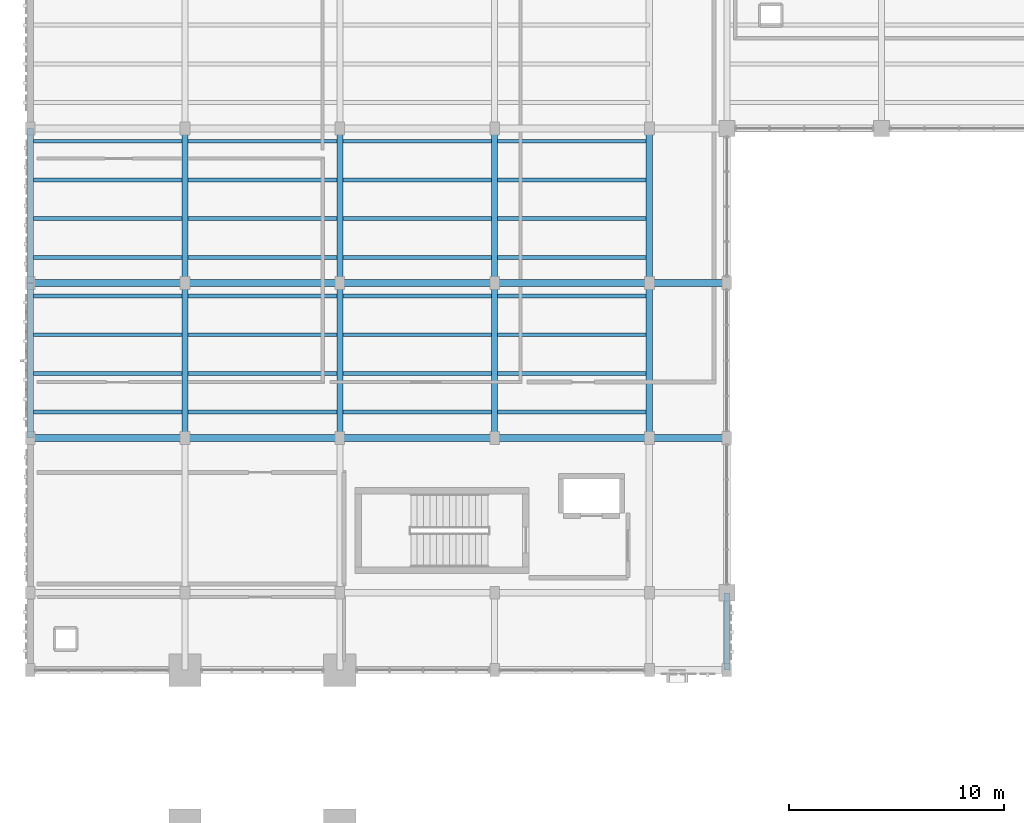
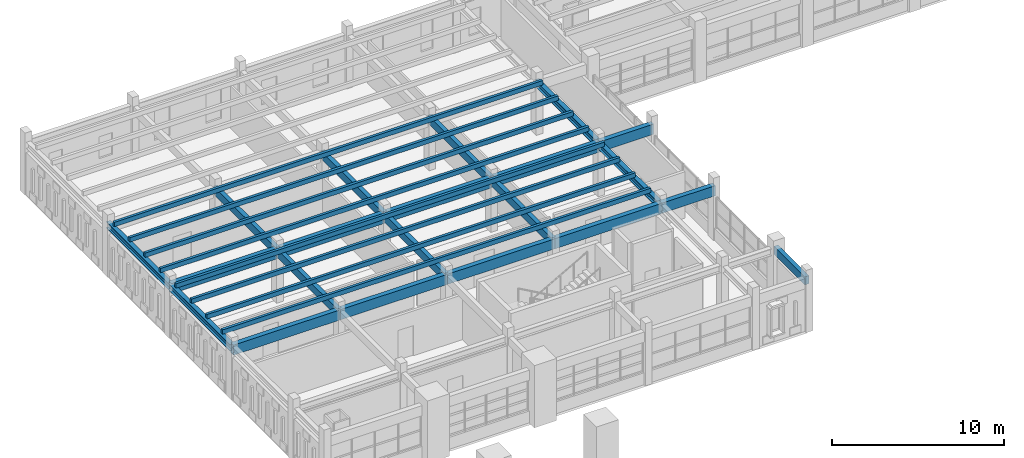
# One storey, part 14 of 69: 21 beams, 8 members.
"""IFC4 building model written with IfcOpenShell, lengths in metres."""

import ifcopenshell
import ifcopenshell.guid

model = None  # the IFC model being written
_history = None  # IfcOwnerHistory: only IFC2X3 demands one
_inside = {}  # id of a spatial element -> (the spatial element, [elements in it])
_under = {}  # id of a project, library or spatial element -> (it, [spatial elements below it])
_declared = {}  # id of a project -> (the project, [libraries it declares])
_typed = {}  # id of a type object -> (the type object, [elements of that type])
_made_of = {}  # id of a material, layer set ... -> (it, [elements and type objects made of it])


def new_model(schema):
    """Start an empty IFC model of exactly this schema.

    Asked for "IFC4X3", IfcOpenShell would pick the latest addendum, in which some entities
    have other attributes; the version numbers below select the first issue.
    IFC2X3 requires an IfcOwnerHistory on every rooted entity: one is made here for all.
    """
    global model, _history
    if schema == "IFC4X3":
        model = ifcopenshell.file(schema_version=(4, 3, 0, 0))
    else:
        model = ifcopenshell.file(schema=schema)
    _inside.clear()
    _under.clear()
    _declared.clear()
    _typed.clear()
    _made_of.clear()
    _history = None
    if model.schema == "IFC2X3":
        org = make("IfcOrganization", Name="unknown")
        user = make(
            "IfcPersonAndOrganization",
            ThePerson=make("IfcPerson", FamilyName="unknown"),
            TheOrganization=org,
        )
        app = make(
            "IfcApplication",
            ApplicationDeveloper=org,
            Version="unknown",
            ApplicationFullName="unknown",
            ApplicationIdentifier="unknown",
        )
        _history = make(
            "IfcOwnerHistory",
            OwningUser=user,
            OwningApplication=app,
            ChangeAction="ADDED",
            CreationDate=0,
        )
    return model


def make(cls, **values):
    """One entity of the class cls with the attributes given. An attribute that is None is left unset."""
    return model.create_entity(
        cls, **{name: value for name, value in values.items() if value is not None}
    )


def rooted(cls, **values):
    """An entity with a GlobalId (a new one), such as an element, a storey or a relation."""
    return make(cls, GlobalId=ifcopenshell.guid.new(), OwnerHistory=_history, **values)


def si_unit(unit_type, name, prefix=None):
    """IfcSIUnit, for example si_unit("LENGTHUNIT", "METRE", prefix="MILLI")."""
    return make("IfcSIUnit", UnitType=unit_type, Prefix=prefix, Name=name)


def assignment(units):
    """IfcUnitAssignment: the units of a project."""
    return None if units is None else make("IfcUnitAssignment", Units=units)


def point(xyz):
    """IfcCartesianPoint."""
    return None if xyz is None else make("IfcCartesianPoint", Coordinates=xyz)


def direction(xyz):
    """IfcDirection."""
    return None if xyz is None else make("IfcDirection", DirectionRatios=xyz)


def frame(location, z_axis=None, x_axis=None):
    """IfcAxis2Placement3D, a coordinate frame: its origin and axes. An axis left out is left unset."""
    return make(
        "IfcAxis2Placement3D",
        Location=point(location),
        Axis=direction(z_axis),
        RefDirection=direction(x_axis),
    )


def frame_2d(location, x_axis=None):
    """IfcAxis2Placement2D, a coordinate frame in the plane: its origin and x axis."""
    return make(
        "IfcAxis2Placement2D", Location=point(location), RefDirection=direction(x_axis)
    )


def origin():
    """The frame at (0, 0, 0) with its axes left unset."""
    return frame((0.0, 0.0, 0.0))


def origin_2d():
    """The frame at (0, 0) in the plane with its x axis left unset."""
    return frame_2d((0.0, 0.0))


def place(relative_to, where):
    """IfcLocalPlacement: puts the frame where relative to a parent placement (None: the world)."""
    return make(
        "IfcLocalPlacement", PlacementRelTo=relative_to, RelativePlacement=where
    )


def context(
    kind, dimensions, precision=None, world=None, true_north=None, identifier=None
):
    """IfcGeometricRepresentationContext, for example the 3D "Model" context."""
    return make(
        "IfcGeometricRepresentationContext",
        ContextIdentifier=identifier,
        ContextType=kind,
        CoordinateSpaceDimension=dimensions,
        Precision=precision,
        WorldCoordinateSystem=world,
        TrueNorth=true_north,
    )


def subcontext(parent, identifier, kind, view, scale=None):
    """IfcGeometricRepresentationSubContext, for example "Body" below "Model"."""
    return make(
        "IfcGeometricRepresentationSubContext",
        ContextIdentifier=identifier,
        ContextType=kind,
        ParentContext=parent,
        TargetScale=scale,
        TargetView=view,
    )


def project(units=None, contexts=None):
    """IfcProject with its units and contexts."""
    return rooted(
        "IfcProject",
        Name="project",
        RepresentationContexts=contexts,
        UnitsInContext=assignment(units),
    )


def spatial(cls, under=None, at=None, **own):
    """A site, building, storey or space (cls), placed at a placement, below another one or the project."""
    s = rooted(cls, ObjectPlacement=at, **own)
    if under is not None:
        _under.setdefault(under.id(), (under, []))[1].append(s)
    return s


def profile(cls, at=None, kind="AREA", **sizes):
    """A parametric profile (cls). Its sizes go by their IFC names, for example OverallWidth=200.0."""
    return make(cls, ProfileType=kind, Position=at, **sizes)


def rectangle(**sizes):
    """IfcRectangleProfileDef."""
    return profile("IfcRectangleProfileDef", **sizes)


def i_section(**sizes):
    """IfcIShapeProfileDef."""
    return profile("IfcIShapeProfileDef", **sizes)


def extrude(swept, where, along, depth):
    """IfcExtrudedAreaSolid: the profile swept, set in the frame where, extruded along a direction by depth."""
    return make(
        "IfcExtrudedAreaSolid",
        SweptArea=swept,
        Position=where,
        ExtrudedDirection=direction(along),
        Depth=depth,
    )


def shape(context_of_items, identifier, shape_type, items):
    """IfcShapeRepresentation: the items that make up one representation, for example the "Body"."""
    return make(
        "IfcShapeRepresentation",
        ContextOfItems=context_of_items,
        RepresentationIdentifier=identifier,
        RepresentationType=shape_type,
        Items=items,
    )


def material(Name=None, Category=None):
    """IfcMaterial."""
    return make("IfcMaterial", Name=Name, Category=Category)


def material_profile(
    of_material, cross_section, Name=None, Category=None, Priority=None
):
    """IfcMaterialProfile: a cross section and its material."""
    return make(
        "IfcMaterialProfile",
        Name=Name,
        Material=of_material,
        Profile=cross_section,
        Priority=Priority,
        Category=Category,
    )


def profile_set(profiles, Name=None, composite=None):
    """IfcMaterialProfileSet."""
    return make(
        "IfcMaterialProfileSet",
        Name=Name,
        MaterialProfiles=profiles,
        CompositeProfile=composite,
    )


def made_of(thing, what):
    """Note that an element or type object is made of a material, layer set ...; save() writes the relation."""
    if what is not None:
        _made_of.setdefault(what.id(), (what, []))[1].append(thing)
    return thing


def type_object(cls, material=None, **own):
    """A type object (cls), such as IfcWallType, which elements share."""
    return made_of(rooted(cls, **own), material)


def element(
    cls,
    number,
    at=None,
    inside=None,
    cuts=None,
    type_object=None,
    material=None,
    context=None,
    identifier="Body",
    shape_type=None,
    held_by="IfcProductDefinitionShape",
    body=None,
    shapes=None,
    **own,
):
    """One element of the class cls, such as IfcWall. Its Tag is "e" and its number.

    at: its placement. inside: the storey or other place that contains it. cuts: it is an
    opening in that element (IfcRelVoidsElement). A single representation is given by context,
    identifier, shape_type and body (its items); several are given by shapes. held_by: the class
    of the entity that holds the representations. save() writes the other relations.
    """
    e = rooted(cls, Tag="e%d" % number, ObjectPlacement=at, **own)
    if body is not None:
        shapes = [shape(context, identifier, shape_type, body)]
    if shapes is not None:
        e.Representation = make(held_by, Representations=shapes)
    if inside is not None:
        _inside.setdefault(inside.id(), (inside, []))[1].append(e)
    if cuts is not None:
        rooted(
            "IfcRelVoidsElement", RelatingBuildingElement=cuts, RelatedOpeningElement=e
        )
    if type_object is not None:
        _typed.setdefault(type_object.id(), (type_object, []))[1].append(e)
    return made_of(e, material)


def aggregate(whole, parts):
    """IfcRelAggregates: a whole, such as a stair, and the parts it consists of."""
    return rooted("IfcRelAggregates", RelatingObject=whole, RelatedObjects=parts)


def save(model, path):
    """Write the relations noted so far, then the file.

    IfcRelAggregates (storeys below a building ...), IfcRelContainedInSpatialStructure (elements
    in a storey), IfcRelDefinesByType, IfcRelAssociatesMaterial and IfcRelDeclares: one each for
    every whole, place, type object, material and project.
    """
    for whole, parts in _under.values():
        aggregate(whole, parts)
    for where, things in _inside.values():
        rooted(
            "IfcRelContainedInSpatialStructure",
            RelatedElements=things,
            RelatingStructure=where,
        )
    for kind, things in _typed.values():
        rooted("IfcRelDefinesByType", RelatedObjects=things, RelatingType=kind)
    for what, things in _made_of.values():
        rooted("IfcRelAssociatesMaterial", RelatedObjects=things, RelatingMaterial=what)
    for by, libraries in _declared.values():
        rooted("IfcRelDeclares", RelatingContext=by, RelatedDefinitions=libraries)
    model.write(path)


model = new_model("IFC4")

# Units and contexts
model_context = context("Model", 3, precision=1e-05, world=origin(), true_north=direction((0.0, 1.0)))
body_context = subcontext(model_context, "Body", "Model", "MODEL_VIEW")
ifc_project = project(units=[si_unit("LENGTHUNIT", "METRE"), si_unit("AREAUNIT", "SQUARE_METRE"), si_unit("VOLUMEUNIT", "CUBIC_METRE"), si_unit("PLANEANGLEUNIT", "RADIAN"), si_unit("MASSUNIT", "GRAM", prefix="KILO")], contexts=[model_context])

# Site, building, storey
site_placement = place(None, origin())
site = spatial("IfcSite", under=ifc_project, at=site_placement, CompositionType="ELEMENT")
building_placement = place(site_placement, origin())
building = spatial("IfcBuilding", under=site, at=building_placement, Name="Nzembalo Square Collegiate School", CompositionType="ELEMENT")
storey_placement = place(building_placement, frame((0.0, 0.0, 5.10009765625)))
storey = spatial("IfcBuildingStorey", under=building, at=storey_placement, Name="L01", CompositionType="ELEMENT", Elevation=5.10009765625)

# Beams
ifc_material_1 = material(Name="Glulam GL32h", Category="wood")
ifc_material_profile_1 = material_profile(ifc_material_1, rectangle(XDim=0.320068359375, YDim=0.719970703125, at=origin_2d()), Name="GL32h 320x720")
ifc_profile_set_1 = profile_set([ifc_material_profile_1], Name="Glulam GL32h")
beam_type_1 = type_object("IfcBeamType", Name="B03", PredefinedType="BEAM", material=ifc_profile_set_1)
beam_1_placement = place(storey_placement, frame((8.39990234375, 90.0, 3.389892578125), z_axis=(1.0, 0.0, 0.0), x_axis=(0.0, 1.0, 0.0)))
element("IfcBeam", 1, at=beam_1_placement, inside=storey, type_object=beam_type_1, Name="Beam B03 L01", PredefinedType="BEAM", context=body_context, shape_type="SweptSolid", body=[
    extrude(rectangle(XDim=0.320068359375, YDim=0.719970703125, at=origin_2d()), origin(), (0.0, 0.0, 1.0), 7.2001953125),
])
for number, where, z_axis, x_axis, name in (
    (2, (15.60009765625, 90.0, 3.389892578125), (1.0, 0.0, 0.0), (0.0, 1.0, 0.0), "Beam B03 L01"),
    (3, (22.800048828125, 90.0, 3.389892578125), (1.0, 0.0, 0.0), (0.0, 1.0, 0.0), "Beam B03 L01"),
    (4, (30.0, 90.0, 3.389892578125), (1.0, 0.0, 0.0), (0.0, 1.0, 0.0), "Beam B03 L01"),
):
    element("IfcBeam", number, at=place(storey_placement, frame(where, z_axis=z_axis, x_axis=x_axis)), inside=storey, type_object=beam_type_1, Name=name, PredefinedType="BEAM", context=body_context, shape_type="SweptSolid", body=[
        extrude(rectangle(XDim=0.320068359375, YDim=0.719970703125, at=origin_2d()), origin(), (0.0, 0.0, 1.0), 7.199951171875),
    ])
beam_2_placement = place(storey_placement, frame((37.199951171875, 90.0, 3.389892578125), z_axis=(1.0, 0.0, 0.0), x_axis=(0.0, 1.0, 0.0)))
element("IfcBeam", 5, at=beam_2_placement, inside=storey, type_object=beam_type_1, Name="Beam B03 L01", PredefinedType="BEAM", context=body_context, shape_type="SweptSolid", body=[
    extrude(rectangle(XDim=0.320068359375, YDim=0.719970703125, at=origin_2d()), origin(), (0.0, 0.0, 1.0), 3.60009765625),
])
beam_3_placement = place(storey_placement, frame((8.39990234375, 97.199951171875, 3.389892578125), z_axis=(1.0, 0.0, 0.0), x_axis=(0.0, 1.0, 0.0)))
element("IfcBeam", 6, at=beam_3_placement, inside=storey, type_object=beam_type_1, Name="Beam B03 L01", PredefinedType="BEAM", context=body_context, shape_type="SweptSolid", body=[
    extrude(rectangle(XDim=0.320068359375, YDim=0.719970703125, at=origin_2d()), origin(), (0.0, 0.0, 1.0), 7.2001953125),
])
for number, where, z_axis, x_axis, name in (
    (7, (15.60009765625, 97.199951171875, 3.389892578125), (1.0, 0.0, 0.0), (0.0, 1.0, 0.0), "Beam B03 L01"),
    (8, (22.800048828125, 97.199951171875, 3.389892578125), (1.0, 0.0, 0.0), (0.0, 1.0, 0.0), "Beam B03 L01"),
    (9, (30.0, 97.199951171875, 3.389892578125), (1.0, 0.0, 0.0), (0.0, 1.0, 0.0), "Beam B03 L01"),
):
    element("IfcBeam", number, at=place(storey_placement, frame(where, z_axis=z_axis, x_axis=x_axis)), inside=storey, type_object=beam_type_1, Name=name, PredefinedType="BEAM", context=body_context, shape_type="SweptSolid", body=[
        extrude(rectangle(XDim=0.320068359375, YDim=0.719970703125, at=origin_2d()), origin(), (0.0, 0.0, 1.0), 7.199951171875),
    ])
beam_4_placement = place(storey_placement, frame((37.199951171875, 97.199951171875, 3.389892578125), z_axis=(1.0, 0.0, 0.0), x_axis=(0.0, 1.0, 0.0)))
element("IfcBeam", 10, at=beam_4_placement, inside=storey, type_object=beam_type_1, Name="Beam B03 L01", PredefinedType="BEAM", context=body_context, shape_type="SweptSolid", body=[
    extrude(rectangle(XDim=0.320068359375, YDim=0.719970703125, at=origin_2d()), origin(), (0.0, 0.0, 1.0), 3.60009765625),
])
ifc_material_2 = material(Name="Glulam GL28h", Category="wood")
ifc_material_profile_2 = material_profile(ifc_material_2, rectangle(XDim=0.280029296875, YDim=0.56005859375, at=origin_2d()), Name="GL28h 280x560")
ifc_profile_set_2 = profile_set([ifc_material_profile_2], Name="Glulam GL28h")
beam_type_2 = type_object("IfcBeamType", Name="B05", PredefinedType="BEAM", material=ifc_profile_set_2)
for number, where, z_axis, x_axis, name in (
    (11, (15.60009765625, 90.0, 3.469970703125), (0.0, 1.0, 0.0), (-1.0, 0.0, 0.0), "Beam B05 L01"),
    (12, (15.60009765625, 97.199951171875, 3.469970703125), (0.0, 1.0, 0.0), (-1.0, 0.0, 0.0), "Beam B05 L01"),
    (13, (22.800048828125, 90.0, 3.469970703125), (0.0, 1.0, 0.0), (-1.0, 0.0, 0.0), "Beam B05 L01"),
    (14, (22.800048828125, 97.199951171875, 3.469970703125), (0.0, 1.0, 0.0), (-1.0, 0.0, 0.0), "Beam B05 L01"),
    (15, (30.0, 90.0, 3.469970703125), (0.0, 1.0, 0.0), (-1.0, 0.0, 0.0), "Beam B05 L01"),
    (16, (30.0, 97.199951171875, 3.469970703125), (0.0, 1.0, 0.0), (-1.0, 0.0, 0.0), "Beam B05 L01"),
):
    element("IfcBeam", number, at=place(storey_placement, frame(where, z_axis=z_axis, x_axis=x_axis)), inside=storey, type_object=beam_type_2, Name=name, PredefinedType="BEAM", context=body_context, shape_type="SweptSolid", body=[
        extrude(rectangle(XDim=0.280029296875, YDim=0.56005859375, at=origin_2d()), origin(), (0.0, 0.0, 1.0), 7.199951171875),
    ])
beam_5_placement = place(storey_placement, frame((40.800048828125, 79.199951171875, 3.469970703125), z_axis=(0.0, 1.0, 0.0), x_axis=(-1.0, 0.0, 0.0)))
element("IfcBeam", 17, at=beam_5_placement, inside=storey, type_object=beam_type_2, Name="Beam B05 L01", PredefinedType="BEAM", context=body_context, shape_type="SweptSolid", body=[
    extrude(rectangle(XDim=0.280029296875, YDim=0.56005859375, at=origin_2d()), origin(), (0.0, 0.0, 1.0), 3.60009765625),
])
ifc_material_3 = material(Name="Steel S355", Category="steel")
ifc_material_profile_3 = material_profile(ifc_material_3, i_section(OverallWidth=0.300048828125, OverallDepth=0.449951171875, WebThickness=0.013916015625, FlangeThickness=0.02587890625, at=origin_2d()), Name="HEB 450")
ifc_profile_set_3 = profile_set([ifc_material_profile_3], Name="Steel S355")
beam_type_3 = type_object("IfcBeamType", Name="B08", PredefinedType="BEAM", material=ifc_profile_set_3)
for number, where, z_axis, x_axis, name in (
    (18, (8.39990234375, 90.0, 3.52490234375), (0.0, 1.0, 0.0), (-1.0, 0.0, 0.0), "Beam B08 L01"),
    (19, (8.39990234375, 97.199951171875, 3.52490234375), (0.0, 1.0, 0.0), (-1.0, 0.0, 0.0), "Beam B08 L01"),
    (20, (37.199951171875, 90.0, 3.52490234375), (0.0, 1.0, 0.0), (-1.0, 0.0, 0.0), "Beam B08 L01"),
    (21, (37.199951171875, 97.199951171875, 3.52490234375), (0.0, 1.0, 0.0), (-1.0, 0.0, 0.0), "Beam B08 L01"),
):
    element("IfcBeam", number, at=place(storey_placement, frame(where, z_axis=z_axis, x_axis=x_axis)), inside=storey, type_object=beam_type_3, Name=name, PredefinedType="BEAM", context=body_context, shape_type="SweptSolid", body=[
        extrude(i_section(OverallWidth=0.300048828125, OverallDepth=0.449951171875, WebThickness=0.013916015625, FlangeThickness=0.02587890625, at=origin_2d()), origin(), (0.0, 0.0, 1.0), 7.199951171875),
    ])

# Members
ifc_material_4 = material(Name="Glulam GL28h", Category="wood")
ifc_material_profile_4 = material_profile(ifc_material_4, rectangle(XDim=0.179931640625, YDim=0.320068359375, at=origin_2d()), Name="GL28h 180x320")
ifc_profile_set_4 = profile_set([ifc_material_profile_4], Name="Glulam GL28h")
member_type = type_object("IfcMemberType", Name="PR01", PredefinedType="PURLIN", material=ifc_profile_set_4)
for number, where, z_axis, x_axis, name in (
    (22, (8.39990234375, 91.199951171875, 3.89990234375), (1.0, 0.0, 0.0), (0.0, 1.0, 0.0), "Planted roof purlin PR01-NW-01"),
    (23, (8.39990234375, 93.0, 3.89990234375), (1.0, 0.0, 0.0), (0.0, 1.0, 0.0), "Planted roof purlin PR01-NW-02"),
    (24, (8.39990234375, 94.800048828125, 3.89990234375), (1.0, 0.0, 0.0), (0.0, 1.0, 0.0), "Planted roof purlin PR01-NW-03"),
    (25, (8.39990234375, 96.60009765625, 3.89990234375), (1.0, 0.0, 0.0), (0.0, 1.0, 0.0), "Planted roof purlin PR01-NW-04"),
    (26, (8.39990234375, 98.39990234375, 3.89990234375), (1.0, 0.0, 0.0), (0.0, 1.0, 0.0), "Planted roof purlin PR01-NW-05"),
    (27, (8.39990234375, 100.199951171875, 3.89990234375), (1.0, 0.0, 0.0), (0.0, 1.0, 0.0), "Planted roof purlin PR01-NW-06"),
    (28, (8.39990234375, 102.0, 3.89990234375), (1.0, 0.0, 0.0), (0.0, 1.0, 0.0), "Planted roof purlin PR01-NW-07"),
    (29, (8.39990234375, 103.800048828125, 3.89990234375), (1.0, 0.0, 0.0), (0.0, 1.0, 0.0), "Planted roof purlin PR01-NW-08"),
):
    element("IfcMember", number, at=place(storey_placement, frame(where, z_axis=z_axis, x_axis=x_axis)), inside=storey, type_object=member_type, Name=name, PredefinedType="PURLIN", context=body_context, shape_type="SweptSolid", body=[
        extrude(rectangle(XDim=0.179931640625, YDim=0.320068359375, at=origin_2d()), origin(), (0.0, 0.0, 1.0), 28.800048828125),
    ])

save(model, "model.ifc")
